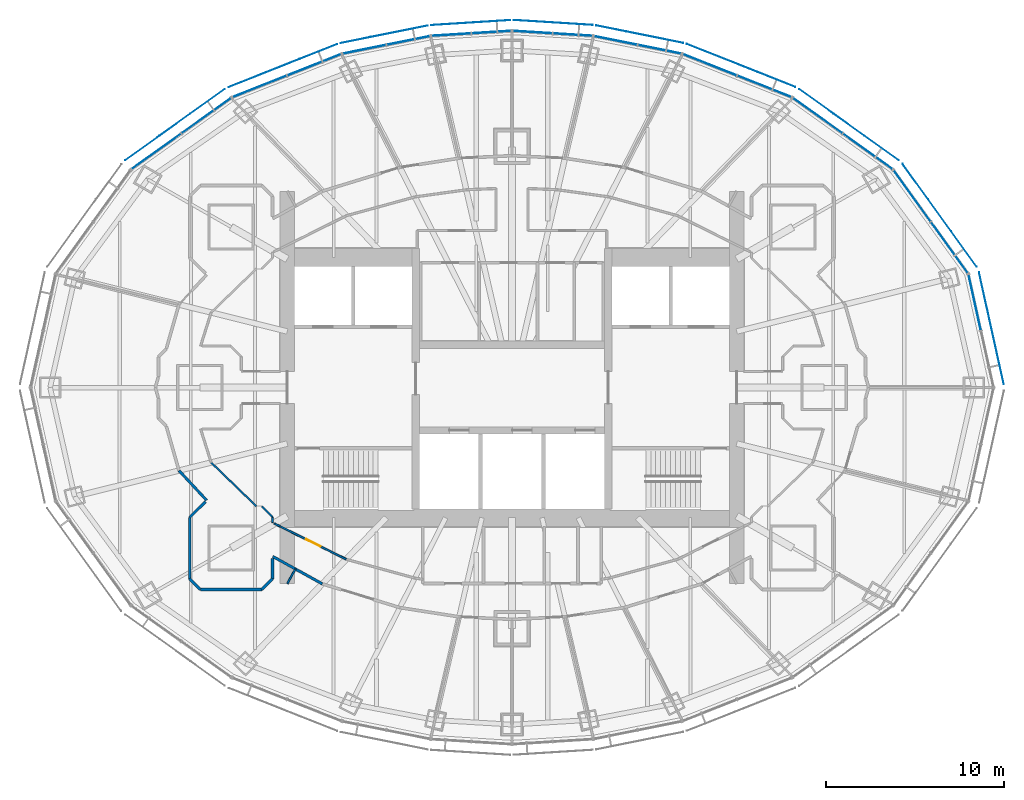
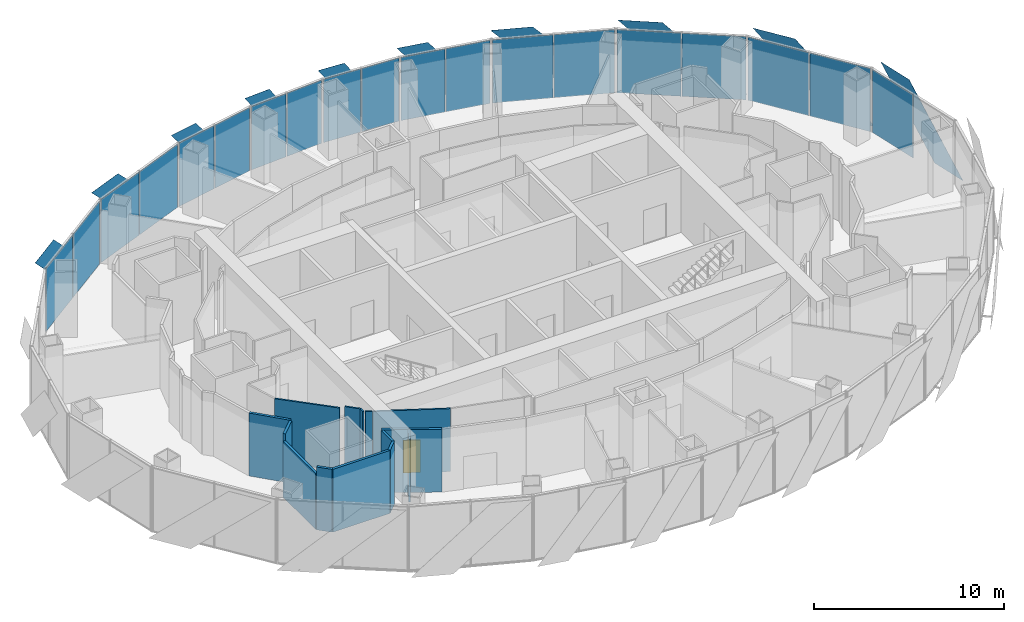
# One storey, part 11 of 19: 29 plates, 14 walls, 1 door, 1 opening, 10 elements without a shape of their own.
"""IFC4 building model written with IfcOpenShell, lengths in metres."""

from ifc_helpers import new_model, si_unit, direction, frame, frame_2d, origin, origin_2d, place, context, subcontext, project, spatial, polyline, rectangle, outline, extrude, material, layer, layer_set, type_object, element, fill, aggregate, save


model = new_model("IFC4")

# Units and contexts
model_context = context("Model", 3, precision=1e-05, world=origin(), true_north=direction((0.0, 1.0)))
body_context = subcontext(model_context, "Body", "Model", "MODEL_VIEW")
ifc_project = project(units=[si_unit("LENGTHUNIT", "METRE"), si_unit("AREAUNIT", "SQUARE_METRE"), si_unit("VOLUMEUNIT", "CUBIC_METRE"), si_unit("PLANEANGLEUNIT", "RADIAN"), si_unit("MASSUNIT", "GRAM", prefix="KILO")], contexts=[model_context])

# Site, building, storey
site_placement = place(None, origin())
site = spatial("IfcSite", under=ifc_project, at=site_placement, CompositionType="ELEMENT")
building_placement = place(site_placement, origin())
building = spatial("IfcBuilding", under=site, at=building_placement, Name="Lantaw Convention Tower", CompositionType="ELEMENT")
storey_placement = place(building_placement, frame((0.0, 0.0, 245.199951171875)))
storey = spatial("IfcBuildingStorey", under=building, at=storey_placement, Name="L57", CompositionType="ELEMENT", Elevation=245.199951171875)

# Curtain wall, plate
ifc_material_1 = material(Name="Aluminium framed curtain wall", Category="aluminium")
curtain_wall_type = type_object("IfcCurtainWallType", Name="Office curtain wall high rise, pale aluminium", PredefinedType="USERDEFINED", material=ifc_material_1)
curtain_wall_1_placement = place(storey_placement, origin())
curtain_wall_1 = element("IfcCurtainWall", 1, at=curtain_wall_1_placement, inside=storey, type_object=curtain_wall_type, Name="Office curtain wall high rise, pale aluminium L57", ObjectType="UNITISED CURTAIN WALL", PredefinedType="USERDEFINED")
ifc_material_2 = material(Name="Clear insulating glass", Category="glass")
ifc_layer_1 = layer(ifc_material_2, 0.028076171875)
ifc_layer_set_1 = layer_set([ifc_layer_1], Name="CW-O2 panel 28")
plate_type_1 = type_object("IfcPlateType", Name="CW-O2 panel 28", PredefinedType="CURTAIN_PANEL", material=ifc_layer_set_1)
plate_1_placement = place(storey_placement, frame((25.945556640625, 4.769287109375, -0.0849609375), z_axis=(0.0, 0.0, 1.0), x_axis=(-0.215891333626, 0.976417396437, 0.0)))
plate_1 = element("IfcPlate", 2, at=plate_1_placement, type_object=plate_type_1, Name="CW-O2 panel 2.1", PredefinedType="CURTAIN_PANEL", context=body_context, shape_type="SweptSolid", body=[
    extrude(rectangle(XDim=3.169677734375, YDim=0.028076171875, at=origin_2d()), origin(), (0.0, 0.0, 1.0), 4.070068359375),
])
aggregate(curtain_wall_1, [plate_1])

# Curtain wall, plates
curtain_wall_2_placement = place(storey_placement, origin())
curtain_wall_2 = element("IfcCurtainWall", 3, at=curtain_wall_2_placement, inside=storey, type_object=curtain_wall_type, Name="Office curtain wall high rise, pale aluminium L57", ObjectType="UNITISED CURTAIN WALL", PredefinedType="USERDEFINED")
plate_2_placement = place(storey_placement, frame((24.527099609375, 7.852294921875, -0.0849609375), z_axis=(0.0, 0.0, 1.0), x_axis=(-0.585157643865, 0.810919559405, 0.0)))
plate_2 = element("IfcPlate", 4, at=plate_2_placement, type_object=plate_type_1, Name="CW-O2 panel 1.1", PredefinedType="CURTAIN_PANEL", context=body_context, shape_type="SweptSolid", body=[
    extrude(rectangle(XDim=3.500732421875, YDim=0.028076171875, at=origin_2d()), origin(), (0.0, 0.0, 1.0), 4.070068359375),
])
plate_3_placement = place(storey_placement, frame((22.4404296875, 10.743896484375, -0.0849609375), z_axis=(0.0, 0.0, 1.0), x_axis=(-0.585157643865, 0.810919559405, 0.0)))
plate_3 = element("IfcPlate", 5, at=plate_3_placement, type_object=plate_type_1, Name="CW-O2 panel 2.1", PredefinedType="CURTAIN_PANEL", context=body_context, shape_type="SweptSolid", body=[
    extrude(rectangle(XDim=3.500732421875, YDim=0.028076171875, at=origin_2d()), origin(), (0.0, 0.0, 1.0), 4.070068359375),
])
aggregate(curtain_wall_2, [plate_2, plate_3])

curtain_wall_3_placement = place(storey_placement, origin())
curtain_wall_3 = element("IfcCurtainWall", 6, at=curtain_wall_3_placement, inside=storey, type_object=curtain_wall_type, Name="Office curtain wall high rise, pale aluminium L57", ObjectType="UNITISED CURTAIN WALL", PredefinedType="USERDEFINED")
plate_4_placement = place(storey_placement, frame((19.947509765625, 13.23828125, -0.0849609375), z_axis=(0.0, 0.0, 1.0), x_axis=(-0.813672540482, 0.581323487281, 0.0)))
plate_4 = element("IfcPlate", 7, at=plate_4_placement, type_object=plate_type_1, Name="CW-O2 panel 1.1", PredefinedType="CURTAIN_PANEL", context=body_context, shape_type="SweptSolid", body=[
    extrude(rectangle(XDim=3.386474609375, YDim=0.028076171875, at=origin_2d()), origin(), (0.0, 0.0, 1.0), 4.070068359375),
])
plate_5_placement = place(storey_placement, frame((17.13916015625, 15.24462890625, -0.0849609375), z_axis=(0.0, 0.0, 1.0), x_axis=(-0.813672540482, 0.581323487281, 0.0)))
plate_5 = element("IfcPlate", 8, at=plate_5_placement, type_object=plate_type_1, Name="CW-O2 panel 2.1", PredefinedType="CURTAIN_PANEL", context=body_context, shape_type="SweptSolid", body=[
    extrude(rectangle(XDim=3.386474609375, YDim=0.028076171875, at=origin_2d()), origin(), (0.0, 0.0, 1.0), 4.070068359375),
])
aggregate(curtain_wall_3, [plate_4, plate_5])

curtain_wall_4_placement = place(storey_placement, origin())
curtain_wall_4 = element("IfcCurtainWall", 9, at=curtain_wall_4_placement, inside=storey, type_object=curtain_wall_type, Name="Office curtain wall high rise, pale aluminium L57", ObjectType="UNITISED CURTAIN WALL", PredefinedType="USERDEFINED")
plate_6_placement = place(storey_placement, frame((14.14990234375, 16.8837890625, -0.0849609375), z_axis=(0.0, 0.0, 1.0), x_axis=(-0.929761533743, 0.368162315252, 0.0)))
plate_6 = element("IfcPlate", 10, at=plate_6_placement, type_object=plate_type_1, Name="CW-O2 panel 1.1", PredefinedType="CURTAIN_PANEL", context=body_context, shape_type="SweptSolid", body=[
    extrude(rectangle(XDim=3.222900390625, YDim=0.028076171875, at=origin_2d()), origin(), (0.0, 0.0, 1.0), 4.070068359375),
])
plate_7_placement = place(storey_placement, frame((11.0927734375, 18.094482421875, -0.0849609375), z_axis=(0.0, 0.0, 1.0), x_axis=(-0.929761533743, 0.368162315252, 0.0)))
plate_7 = element("IfcPlate", 11, at=plate_7_placement, type_object=plate_type_1, Name="CW-O2 panel 2.1", PredefinedType="CURTAIN_PANEL", context=body_context, shape_type="SweptSolid", body=[
    extrude(rectangle(XDim=3.222900390625, YDim=0.028076171875, at=origin_2d()), origin(), (0.0, 0.0, 1.0), 4.070068359375),
])
aggregate(curtain_wall_4, [plate_6, plate_7])

curtain_wall_5_placement = place(storey_placement, origin())
curtain_wall_5 = element("IfcCurtainWall", 12, at=curtain_wall_5_placement, inside=storey, type_object=curtain_wall_type, Name="Office curtain wall high rise, pale aluminium L57", ObjectType="UNITISED CURTAIN WALL", PredefinedType="USERDEFINED")
plate_8_placement = place(storey_placement, frame((8.2724609375, 18.96533203125, -0.0849609375), z_axis=(0.0, 0.0, 1.0), x_axis=(-0.980366679695, 0.197183095987, 0.0)))
plate_8 = element("IfcPlate", 13, at=plate_8_placement, type_object=plate_type_1, Name="CW-O2 panel 1.1", PredefinedType="CURTAIN_PANEL", context=body_context, shape_type="SweptSolid", body=[
    extrude(rectangle(XDim=2.44384765625, YDim=0.028076171875, at=origin_2d()), origin(), (0.0, 0.0, 1.0), 4.070068359375),
])
plate_9_placement = place(storey_placement, frame((5.81298828125, 19.4599609375, -0.0849609375), z_axis=(0.0, 0.0, 1.0), x_axis=(-0.980366679695, 0.197183095987, 0.0)))
plate_9 = element("IfcPlate", 14, at=plate_9_placement, type_object=plate_type_1, Name="CW-O2 panel 2.1", PredefinedType="CURTAIN_PANEL", context=body_context, shape_type="SweptSolid", body=[
    extrude(rectangle(XDim=2.44384765625, YDim=0.028076171875, at=origin_2d()), origin(), (0.0, 0.0, 1.0), 4.070068359375),
])
aggregate(curtain_wall_5, [plate_8, plate_9])

curtain_wall_6_placement = place(storey_placement, origin())
curtain_wall_6 = element("IfcCurtainWall", 15, at=curtain_wall_6_placement, inside=storey, type_object=curtain_wall_type, Name="Office curtain wall high rise, pale aluminium L57", ObjectType="UNITISED CURTAIN WALL", PredefinedType="USERDEFINED")
plate_10_placement = place(storey_placement, frame((3.397216796875, 19.786376953125, -0.0849609375), z_axis=(0.0, 0.0, 1.0), x_axis=(-0.998028774865, 0.062757983884, 0.0)))
plate_10 = element("IfcPlate", 16, at=plate_10_placement, type_object=plate_type_1, Name="CW-O2 panel 1.1", PredefinedType="CURTAIN_PANEL", context=body_context, shape_type="SweptSolid", body=[
    extrude(rectangle(XDim=2.1826171875, YDim=0.028076171875, at=origin_2d()), origin(), (0.0, 0.0, 1.0), 4.070068359375),
])
plate_11_placement = place(storey_placement, frame((1.154052734375, 19.927490234375, -0.0849609375), z_axis=(0.0, 0.0, 1.0), x_axis=(-0.998028774865, 0.062757983884, 0.0)))
plate_11 = element("IfcPlate", 17, at=plate_11_placement, type_object=plate_type_1, Name="CW-O2 panel 2.1", PredefinedType="CURTAIN_PANEL", context=body_context, shape_type="SweptSolid", body=[
    extrude(rectangle(XDim=2.1826171875, YDim=0.028076171875, at=origin_2d()), origin(), (0.0, 0.0, 1.0), 4.070068359375),
])
aggregate(curtain_wall_6, [plate_10, plate_11])

curtain_wall_7_placement = place(storey_placement, origin())
curtain_wall_7 = element("IfcCurtainWall", 18, at=curtain_wall_7_placement, inside=storey, type_object=curtain_wall_type, Name="Office curtain wall high rise, pale aluminium L57", ObjectType="UNITISED CURTAIN WALL", PredefinedType="USERDEFINED")
plate_12_placement = place(storey_placement, frame((-1.154052734375, 19.927490234375, -0.0849609375), z_axis=(0.0, 0.0, 1.0), x_axis=(-0.998028774865, -0.062757983884, 0.0)))
plate_12 = element("IfcPlate", 19, at=plate_12_placement, type_object=plate_type_1, Name="CW-O2 panel 1.1", PredefinedType="CURTAIN_PANEL", context=body_context, shape_type="SweptSolid", body=[
    extrude(rectangle(XDim=2.1826171875, YDim=0.028076171875, at=origin_2d()), origin(), (0.0, 0.0, 1.0), 4.070068359375),
])
plate_13_placement = place(storey_placement, frame((-3.397216796875, 19.786376953125, -0.0849609375), z_axis=(0.0, 0.0, 1.0), x_axis=(-0.998028774865, -0.062757983884, 0.0)))
plate_13 = element("IfcPlate", 20, at=plate_13_placement, type_object=plate_type_1, Name="CW-O2 panel 2.1", PredefinedType="CURTAIN_PANEL", context=body_context, shape_type="SweptSolid", body=[
    extrude(rectangle(XDim=2.1826171875, YDim=0.028076171875, at=origin_2d()), origin(), (0.0, 0.0, 1.0), 4.070068359375),
])
aggregate(curtain_wall_7, [plate_12, plate_13])

curtain_wall_8_placement = place(storey_placement, origin())
curtain_wall_8 = element("IfcCurtainWall", 21, at=curtain_wall_8_placement, inside=storey, type_object=curtain_wall_type, Name="Office curtain wall high rise, pale aluminium L57", ObjectType="UNITISED CURTAIN WALL", PredefinedType="USERDEFINED")
plate_14_placement = place(storey_placement, frame((-5.81298828125, 19.4599609375, -0.0849609375), z_axis=(0.0, 0.0, 1.0), x_axis=(-0.980366679695, -0.197183095987, 0.0)))
plate_14 = element("IfcPlate", 22, at=plate_14_placement, type_object=plate_type_1, Name="CW-O2 panel 1.1", PredefinedType="CURTAIN_PANEL", context=body_context, shape_type="SweptSolid", body=[
    extrude(rectangle(XDim=2.44384765625, YDim=0.028076171875, at=origin_2d()), origin(), (0.0, 0.0, 1.0), 4.070068359375),
])
plate_15_placement = place(storey_placement, frame((-8.2724609375, 18.96533203125, -0.0849609375), z_axis=(0.0, 0.0, 1.0), x_axis=(-0.980366679695, -0.197183095987, 0.0)))
plate_15 = element("IfcPlate", 23, at=plate_15_placement, type_object=plate_type_1, Name="CW-O2 panel 2.1", PredefinedType="CURTAIN_PANEL", context=body_context, shape_type="SweptSolid", body=[
    extrude(rectangle(XDim=2.44384765625, YDim=0.028076171875, at=origin_2d()), origin(), (0.0, 0.0, 1.0), 4.070068359375),
])
aggregate(curtain_wall_8, [plate_14, plate_15])

curtain_wall_9_placement = place(storey_placement, origin())
curtain_wall_9 = element("IfcCurtainWall", 24, at=curtain_wall_9_placement, inside=storey, type_object=curtain_wall_type, Name="Office curtain wall high rise, pale aluminium L57", ObjectType="UNITISED CURTAIN WALL", PredefinedType="USERDEFINED")
plate_16_placement = place(storey_placement, frame((-11.0927734375, 18.094482421875, -0.0849609375), z_axis=(0.0, 0.0, 1.0), x_axis=(-0.929761533743, -0.368162315252, 0.0)))
plate_16 = element("IfcPlate", 25, at=plate_16_placement, type_object=plate_type_1, Name="CW-O2 panel 1.1", PredefinedType="CURTAIN_PANEL", context=body_context, shape_type="SweptSolid", body=[
    extrude(rectangle(XDim=3.222900390625, YDim=0.028076171875, at=origin_2d()), origin(), (0.0, 0.0, 1.0), 4.070068359375),
])
plate_17_placement = place(storey_placement, frame((-14.14990234375, 16.8837890625, -0.0849609375), z_axis=(0.0, 0.0, 1.0), x_axis=(-0.929761533743, -0.368162315252, 0.0)))
plate_17 = element("IfcPlate", 26, at=plate_17_placement, type_object=plate_type_1, Name="CW-O2 panel 2.1", PredefinedType="CURTAIN_PANEL", context=body_context, shape_type="SweptSolid", body=[
    extrude(rectangle(XDim=3.222900390625, YDim=0.028076171875, at=origin_2d()), origin(), (0.0, 0.0, 1.0), 4.070068359375),
])
aggregate(curtain_wall_9, [plate_16, plate_17])

curtain_wall_10_placement = place(storey_placement, origin())
curtain_wall_10 = element("IfcCurtainWall", 27, at=curtain_wall_10_placement, inside=storey, type_object=curtain_wall_type, Name="Office curtain wall high rise, pale aluminium L57", ObjectType="UNITISED CURTAIN WALL", PredefinedType="USERDEFINED")
plate_18_placement = place(storey_placement, frame((-17.13916015625, 15.24462890625, -0.0849609375), z_axis=(0.0, 0.0, 1.0), x_axis=(-0.813672540482, -0.581323487281, 0.0)))
plate_18 = element("IfcPlate", 28, at=plate_18_placement, type_object=plate_type_1, Name="CW-O2 panel 1.1", PredefinedType="CURTAIN_PANEL", context=body_context, shape_type="SweptSolid", body=[
    extrude(rectangle(XDim=3.386474609375, YDim=0.028076171875, at=origin_2d()), origin(), (0.0, 0.0, 1.0), 4.070068359375),
])
plate_19_placement = place(storey_placement, frame((-19.947509765625, 13.23828125, -0.0849609375), z_axis=(0.0, 0.0, 1.0), x_axis=(-0.813672540482, -0.581323487281, 0.0)))
plate_19 = element("IfcPlate", 29, at=plate_19_placement, type_object=plate_type_1, Name="CW-O2 panel 2.1", PredefinedType="CURTAIN_PANEL", context=body_context, shape_type="SweptSolid", body=[
    extrude(rectangle(XDim=3.386474609375, YDim=0.028076171875, at=origin_2d()), origin(), (0.0, 0.0, 1.0), 4.070068359375),
])
aggregate(curtain_wall_10, [plate_18, plate_19])

# Plates
ifc_material_3 = material(Name="Perforated aluminium sheet, pale silver finish", Category="aluminium")
ifc_layer_2 = layer(ifc_material_3, 0.006103515625)
ifc_layer_set_2 = layer_set([ifc_layer_2], Name="Perforated aluminium solar SCREEN panel")
plate_type_2 = type_object("IfcPlateType", Name="Perforated aluminium solar SCREEN panel", PredefinedType="SHEET", material=ifc_layer_set_2)
plate_20_placement = place(storey_placement, frame((27.580810546875, 0.1796875, -0.175048828125), z_axis=(0.976429511424, 0.215836529031, 4.4219438e-05), x_axis=(-0.215836529242, 0.976429512379, 0.0)))
element("IfcPlate", 30, at=plate_20_placement, inside=storey, type_object=plate_type_2, Name="Solar SCREEN panel", PredefinedType="SHEET", context=body_context, shape_type="SweptSolid", body=[
    extrude(outline(polyline([(0.0, 0.0), (2.2215525295212517, -3.3881317890172014e-21), (6.4341686174090675, 4.340087894868215), (4.212616087887817, 4.340087894868215), (0.0, 0.0)])), origin(), (0.0, 0.0, -1.0), 0.006103515625),
])
plate_21_placement = place(storey_placement, frame((26.051513671875, 6.775390625, -0.175048828125), z_axis=(-0.810892289695, -0.585195432394, 2.0458414e-05), x_axis=(-0.585195432516, 0.810892289865, 0.0)))
element("IfcPlate", 31, at=plate_21_placement, inside=storey, type_object=plate_type_2, Name="Solar SCREEN panel", PredefinedType="SHEET", context=body_context, shape_type="SweptSolid", body=[
    extrude(outline(polyline([(0.0, 0.0), (2.446848840683286, 6.776263578034403e-21), (7.09661046667572, -4.340087891533265), (4.649761625992435, -4.340087891533265), (0.0, 0.0)])), origin(), (0.0, 0.0, -1.0), 0.006103515625),
])
plate_22_placement = place(storey_placement, frame((21.689697265625, 12.73828125, -0.175048828125), z_axis=(0.581330799771, 0.813667316006, 1.0072414e-05), x_axis=(-0.813667316047, 0.5813307998, 3.02e-10)))
element("IfcPlate", 32, at=plate_22_placement, inside=storey, type_object=plate_type_2, Name="Solar SCREEN panel", PredefinedType="SHEET", context=body_context, shape_type="SweptSolid", body=[
    extrude(outline(polyline([(0.0, 0.0), (2.3691416428668504, 0.0), (6.867806096558412, 4.34008788877314), (4.498863102938644, 4.340087890202622), (0.0, 0.0)])), origin(), (0.0, 0.0, -1.0), 0.006103515625),
])
plate_23_placement = place(storey_placement, frame((15.88525390625, 16.8486328125, -0.175048828125), z_axis=(-0.368116612072, -0.929779629081, 3.5533269e-05), x_axis=(-0.929779629668, 0.368116612304, -1.786e-09)))
element("IfcPlate", 33, at=plate_23_placement, inside=storey, type_object=plate_type_2, Name="Solar SCREEN panel", PredefinedType="SHEET", context=body_context, shape_type="SweptSolid", body=[
    extrude(outline(polyline([(0.0, 0.0), (2.2578720663572183, -3.3881317890172014e-21), (6.540904465438181, -4.340087905048178), (4.282942526861161, -4.340087896982072), (0.0, 0.0)])), origin(), (0.0, 0.0, -1.0), 0.006103515625),
])
plate_24_placement = place(storey_placement, frame((9.6044921875, 19.315673828125, -0.175048828125), z_axis=(-0.197162069853, -0.980370908428, 1.0904083e-05), x_axis=(-0.980370908486, 0.197162069865, -7.55e-10)))
element("IfcPlate", 34, at=plate_24_placement, inside=storey, type_object=plate_type_2, Name="Solar SCREEN panel", PredefinedType="SHEET", context=body_context, shape_type="SweptSolid", body=[
    extrude(outline(polyline([(0.0, 0.0), (1.7279870169553606, 8.470329472543003e-22), (4.982578440602753, -4.340087894645749), (3.2545432883764285, -4.340087892035838), (0.0, 0.0)])), origin(), (0.0, 0.0, -1.0), 0.006103515625),
])
plate_25_placement = place(storey_placement, frame((4.539306640625, 20.32177734375, -0.175048828125), z_axis=(-0.062672387577, -0.998034151922, 5.858668e-05), x_axis=(-0.998034153635, 0.062672387685, 0.0)))
element("IfcPlate", 35, at=plate_25_placement, inside=storey, type_object=plate_type_2, Name="Solar SCREEN panel", PredefinedType="SHEET", context=body_context, shape_type="SweptSolid", body=[
    extrude(outline(polyline([(0.0, 0.0), (1.5504111513762302, 8.470329472543003e-22), (4.460200019412434, -4.340087898073457), (2.9097888680362036, -4.340087898073457), (0.0, 0.0)])), origin(), (0.0, 0.0, -1.0), 0.006103515625),
])
plate_26_placement = place(storey_placement, frame((-0.087890625, 20.6015625, -0.175048828125), z_axis=(-0.062672387577, 0.998034151922, 5.858668e-05), x_axis=(-0.998034153635, -0.062672387685, 0.0)))
element("IfcPlate", 36, at=plate_26_placement, inside=storey, type_object=plate_type_2, Name="Solar SCREEN panel", PredefinedType="SHEET", context=body_context, shape_type="SweptSolid", body=[
    extrude(outline(polyline([(0.0, 0.0), (1.5504111513762302, -8.470329472543003e-22), (4.460200019412434, 4.340087898073457), (2.9097888680362036, 4.340087898073457), (0.0, 0.0)])), origin(), (0.0, 0.0, -1.0), 0.006103515625),
])
plate_27_placement = place(storey_placement, frame((-4.7197265625, 20.298095703125, -0.175048828125), z_axis=(-0.197162069853, 0.980370908428, 1.0904083e-05), x_axis=(-0.980370908486, -0.197162069865, 7.55e-10)))
element("IfcPlate", 37, at=plate_27_placement, inside=storey, type_object=plate_type_2, Name="Solar SCREEN panel", PredefinedType="SHEET", context=body_context, shape_type="SweptSolid", body=[
    extrude(outline(polyline([(0.0, 0.0), (1.7280351522263238, 4.235164736271502e-22), (4.982578447157737, 4.34008788712039), (3.2545914302023755, 4.340087889730228), (0.0, 0.0)])), origin(), (0.0, 0.0, -1.0), 0.006103515625),
])
plate_28_placement = place(storey_placement, frame((-9.8037109375, 19.256591796875, -0.175048828125), z_axis=(-0.368116612072, 0.929779629081, 3.5533269e-05), x_axis=(-0.929779629668, -0.368116612304, 1.786e-09)))
element("IfcPlate", 38, at=plate_28_placement, inside=storey, type_object=plate_type_2, Name="Solar SCREEN panel", PredefinedType="SHEET", context=body_context, shape_type="SweptSolid", body=[
    extrude(outline(polyline([(0.0, 0.0), (2.257961938577019, 0.0), (6.540904480942253, 4.34008788168214), (4.283032414585035, 4.340087889747925), (0.0, 0.0)])), origin(), (0.0, 0.0, -1.0), 0.006103515625),
])
plate_29_placement = place(storey_placement, frame((-16.1015625, 16.730712890625, -0.175048828125), z_axis=(0.581330799771, -0.813667316006, 1.0072414e-05), x_axis=(-0.813667316047, -0.5813307998, -3.02e-10)))
element("IfcPlate", 39, at=plate_29_placement, inside=storey, type_object=plate_type_2, Name="Solar SCREEN panel", PredefinedType="SHEET", context=body_context, shape_type="SweptSolid", body=[
    extrude(outline(polyline([(0.0, 0.0), (2.3689429936197683, -1.6940658945086007e-21), (6.867806093939489, -4.340087892917353), (4.498664451072639, -4.340087891487751), (0.0, 0.0)])), origin(), (0.0, 0.0, -1.0), 0.006103515625),
])

# Walls
ifc_material_4 = material(Name="Gypsum board on steel studs, fire rated", Category="steel")
ifc_layer_3 = layer(ifc_material_4, 0.14990234375)
ifc_layer_set_3 = layer_set([ifc_layer_3], Name="Corridor wall 150 EI 60")
wall_type_1 = type_object("IfcWallType", Name="Corridor wall 150 EI 60", PredefinedType="PARTITIONING", material=ifc_layer_set_3)
wall_1_placement = place(storey_placement, frame((-18.67333984375, -4.65576171875, 0.0), z_axis=(0.0, 0.0, 1.0), x_axis=(0.680985069419, -0.732297299755, 0.0)))
element("IfcWall", 40, at=wall_1_placement, inside=storey, type_object=wall_type_1, Name="Corridor wall 150", PredefinedType="PARTITIONING", context=body_context, shape_type="SweptSolid", body=[
    extrude(rectangle(XDim=2.279052734375, YDim=0.14990234375, at=frame_2d((1.1396484375, 0.0))), origin(), (0.0, 0.0, 1.0), 4.050048828125),
])
wall_2_placement = place(storey_placement, frame((-13.4150390625, -9.4716796875, 0.0), z_axis=(0.0, 0.0, 1.0), x_axis=(0.875072100837, -0.483992580869, 0.0)))
element("IfcWall", 41, at=wall_2_placement, inside=storey, type_object=wall_type_1, Name="Corridor wall 150", PredefinedType="PARTITIONING", context=body_context, shape_type="SweptSolid", body=[
    extrude(rectangle(XDim=3.179443359375, YDim=0.14990234375, at=frame_2d((1.58984375, 0.0))), origin(), (0.0, 0.0, 1.0), 4.050048828125),
])
wall_3_placement = place(storey_placement, frame((-18.074951171875, -7.275390625, 0.0), z_axis=(0.0, 0.0, 1.0), x_axis=(0.713842064016, 0.700306723973, 0.0)))
element("IfcWall", 42, at=wall_3_placement, inside=storey, type_object=wall_type_1, Name="Corridor wall 150", PredefinedType="PARTITIONING", context=body_context, shape_type="SweptSolid", body=[
    extrude(rectangle(XDim=1.24462890625, YDim=0.14990234375, at=frame_2d((0.622314453125, 0.0))), origin(), (0.0, 0.0, 1.0), 4.050048828125),
])
wall_4_placement = place(storey_placement, frame((-13.425048828125, -9.586181640625, 0.0), z_axis=(0.0, 0.0, 1.0), x_axis=(0.0, -1.0, 0.0)))
element("IfcWall", 43, at=wall_4_placement, inside=storey, type_object=wall_type_1, Name="Corridor wall 150", PredefinedType="PARTITIONING", context=body_context, shape_type="SweptSolid", body=[
    extrude(rectangle(XDim=1.138427734375, YDim=0.14990234375, at=frame_2d((0.5693359375, 0.0))), origin(), (0.0, 0.0, 1.0), 4.050048828125),
])
wall_5_placement = place(storey_placement, frame((-13.425048828125, -10.724609375, 0.0), z_axis=(0.0, 0.0, 1.0), x_axis=(-0.707106781187, -0.707106781187, 0.0)))
element("IfcWall", 44, at=wall_5_placement, inside=storey, type_object=wall_type_1, Name="Corridor wall 150", PredefinedType="PARTITIONING", context=body_context, shape_type="SweptSolid", body=[
    extrude(rectangle(XDim=0.84912109375, YDim=0.14990234375, at=frame_2d((0.424560546875, 0.0))), origin(), (0.0, 0.0, 1.0), 4.050048828125),
])
wall_6_placement = place(storey_placement, frame((-14.025390625, -11.324951171875, 0.0), z_axis=(0.0, 0.0, 1.0), x_axis=(-1.0, 0.0, 0.0)))
element("IfcWall", 45, at=wall_6_placement, inside=storey, type_object=wall_type_1, Name="Corridor wall 150", PredefinedType="PARTITIONING", context=body_context, shape_type="SweptSolid", body=[
    extrude(rectangle(XDim=3.44921875, YDim=0.14990234375, at=frame_2d((1.724609375, 0.0))), origin(), (0.0, 0.0, 1.0), 4.050048828125),
])
wall_7_placement = place(storey_placement, frame((-17.474609375, -11.324951171875, 0.0), z_axis=(0.0, 0.0, 1.0), x_axis=(-0.707106781187, 0.707106781187, 0.0)))
element("IfcWall", 46, at=wall_7_placement, inside=storey, type_object=wall_type_1, Name="Corridor wall 150", PredefinedType="PARTITIONING", context=body_context, shape_type="SweptSolid", body=[
    extrude(rectangle(XDim=0.84912109375, YDim=0.14990234375, at=frame_2d((0.424560546875, 0.0))), origin(), (0.0, 0.0, 1.0), 4.050048828125),
])
wall_8_placement = place(storey_placement, frame((-18.074951171875, -10.724609375, 0.0), z_axis=(0.0, 0.0, 1.0), x_axis=(0.0, 1.0, 0.0)))
element("IfcWall", 47, at=wall_8_placement, inside=storey, type_object=wall_type_1, Name="Corridor wall 150", PredefinedType="PARTITIONING", context=body_context, shape_type="SweptSolid", body=[
    extrude(rectangle(XDim=3.44921875, YDim=0.14990234375, at=frame_2d((1.724609375, 0.0))), origin(), (0.0, 0.0, 1.0), 3.6005859375),
])
ifc_material_5 = material(Name="Gypsum board on steel studs, acoustic", Category="steel")
ifc_layer_4 = layer(ifc_material_5, 0.10009765625)
ifc_layer_set_4 = layer_set([ifc_layer_4], Name="Office partition 100")
wall_type_2 = type_object("IfcWallType", Name="Office partition 100", PredefinedType="PARTITIONING", material=ifc_layer_set_4)
wall_9_placement = place(storey_placement, frame((-13.0, -7.788330078125, 0.0), z_axis=(0.0, 0.0, 1.0), x_axis=(-0.895721570004, 0.444615416995, 0.0)))
element("IfcWall", 48, at=wall_9_placement, inside=storey, type_object=wall_type_2, Name="Office partition 100", PredefinedType="PARTITIONING", context=body_context, shape_type="SweptSolid", body=[
    extrude(rectangle(XDim=0.376220703125, YDim=0.10009765625, at=frame_2d((0.18798828125, 0.0))), origin(), (0.0, 0.0, 1.0), 4.050048828125),
])

# Wall, opening, door
wall_10_placement = place(storey_placement, frame((-9.2978515625, -9.628173828125, 0.0), z_axis=(0.0, 0.0, 1.0), x_axis=(-0.895529831139, 0.445001484874, 0.0)))
wall_10 = element("IfcWall", 49, at=wall_10_placement, inside=storey, type_object=wall_type_2, Name="Office partition 100", PredefinedType="PARTITIONING", context=body_context, shape_type="SweptSolid", body=[
    extrude(rectangle(XDim=4.108154296875, YDim=0.10009765625, at=frame_2d((2.05419921875, 0.0))), origin(), (0.0, 0.0, 1.0), 4.050048828125),
])
opening_placement = place(wall_10_placement, frame((1.60400390625, 0.0, 0.0)))
opening = element("IfcOpeningElement", 50, at=opening_placement, cuts=wall_10, Name="Opening L57.23", PredefinedType="OPENING", context=body_context, shape_type="SweptSolid", body=[
    extrude(rectangle(XDim=0.89990234375, YDim=2.10009765625, at=frame_2d((0.449951171875, 1.050048828125))), frame((0.0, 0.06005859375, 0.0), z_axis=(0.0, -1.0, 0.0), x_axis=(1.0, 0.0, 0.0)), (0.0, 0.0, 1.0), 0.1201171875),
])
ifc_material_6 = material(Name="Timber", Category="wood")
door_type = type_object("IfcDoorType", Name="Office door 900", OperationType="SINGLE_SWING_LEFT", PredefinedType="DOOR", material=ifc_material_6)
door_placement = place(opening_placement, origin())
door = element("IfcDoor", 51, at=door_placement, inside=storey, type_object=door_type, Name="Project room door", OperationType="SINGLE_SWING_LEFT", OverallHeight=2.10009765625, OverallWidth=0.89990234375, PredefinedType="DOOR", context=body_context, shape_type="SweptSolid", body=[
    extrude(rectangle(XDim=0.89990234375, YDim=2.10009765625, at=frame_2d((0.449951171875, 1.050048828125))), frame((0.0, 0.02490234375, 0.0), z_axis=(0.0, -1.0, 0.0), x_axis=(1.0, 0.0, 0.0)), (0.0, 0.0, 1.0), 0.050048828125),
])
fill(opening, door)

# Walls
wall_11_placement = place(storey_placement, frame((-12.60009765625, -11.0, 0.0), z_axis=(0.0, 0.0, 1.0), x_axis=(0.484103558985, 0.875010710893, 0.0)))
element("IfcWall", 52, at=wall_11_placement, inside=storey, type_object=wall_type_2, Name="Office partition 100", PredefinedType="PARTITIONING", context=body_context, shape_type="SweptSolid", body=[
    extrude(rectangle(XDim=0.943115234375, YDim=0.10009765625, at=frame_2d((0.4716796875, 0.0))), origin(), (0.0, 0.0, 1.0), 4.050048828125),
])
wall_12_placement = place(storey_placement, frame((-14.325439453125, -6.6650390625, 0.0), z_axis=(0.0, 0.0, 1.0), x_axis=(-0.718810161381, 0.695206409562, 0.0)))
element("IfcWall", 53, at=wall_12_placement, inside=storey, type_object=wall_type_2, Name="Office partition 100", PredefinedType="PARTITIONING", context=body_context, shape_type="SweptSolid", body=[
    extrude(rectangle(XDim=3.537353515625, YDim=0.10009765625, at=frame_2d((1.7685546875, 0.0))), origin(), (0.0, 0.0, 1.0), 4.050048828125),
])
wall_13_placement = place(storey_placement, frame((-14.025390625, -6.675048828125, 0.0), z_axis=(0.0, 0.0, 1.0), x_axis=(0.707106781187, -0.707106781187, 0.0)))
element("IfcWall", 54, at=wall_13_placement, inside=storey, type_object=wall_type_2, Name="Office partition 100", PredefinedType="PARTITIONING", context=body_context, shape_type="SweptSolid", body=[
    extrude(rectangle(XDim=0.84912109375, YDim=0.10009765625, at=frame_2d((0.424560546875, 0.0))), origin(), (0.0, 0.0, 1.0), 4.050048828125),
])
wall_14_placement = place(storey_placement, frame((-13.425048828125, -7.275390625, 0.0), z_axis=(0.0, 0.0, 1.0), x_axis=(0.0, -1.0, 0.0)))
element("IfcWall", 55, at=wall_14_placement, inside=storey, type_object=wall_type_2, Name="Office partition 100", PredefinedType="PARTITIONING", context=body_context, shape_type="SweptSolid", body=[
    extrude(rectangle(XDim=0.30224609375, YDim=0.10009765625, at=frame_2d((0.151123046875, 0.0))), origin(), (0.0, 0.0, 1.0), 4.050048828125),
])

save(model, "model.ifc")
